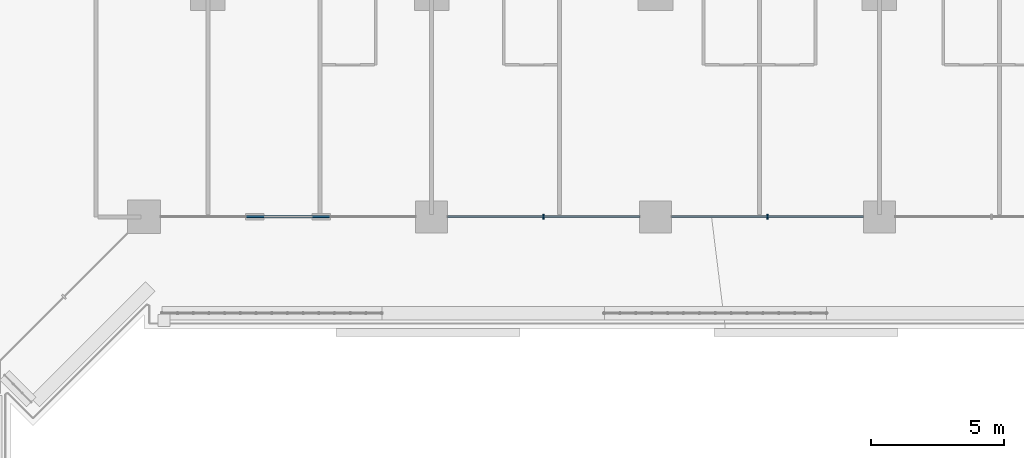
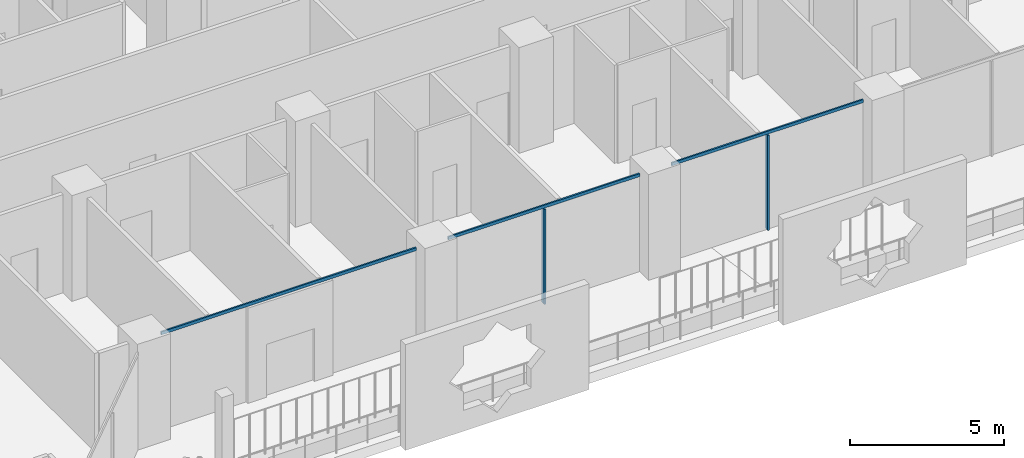
# One storey, part 6 of 28: 5 members, 1 element without a shape of its own.
"""IFC4 building model written with IfcOpenShell, lengths in metres."""

import ifcopenshell
import ifcopenshell.guid

model = None  # the IFC model being written
_history = None  # IfcOwnerHistory: only IFC2X3 demands one
_inside = {}  # id of a spatial element -> (the spatial element, [elements in it])
_under = {}  # id of a project, library or spatial element -> (it, [spatial elements below it])
_declared = {}  # id of a project -> (the project, [libraries it declares])
_typed = {}  # id of a type object -> (the type object, [elements of that type])
_made_of = {}  # id of a material, layer set ... -> (it, [elements and type objects made of it])


def new_model(schema):
    """Start an empty IFC model of exactly this schema.

    Asked for "IFC4X3", IfcOpenShell would pick the latest addendum, in which some entities
    have other attributes; the version numbers below select the first issue.
    IFC2X3 requires an IfcOwnerHistory on every rooted entity: one is made here for all.
    """
    global model, _history
    if schema == "IFC4X3":
        model = ifcopenshell.file(schema_version=(4, 3, 0, 0))
    else:
        model = ifcopenshell.file(schema=schema)
    _inside.clear()
    _under.clear()
    _declared.clear()
    _typed.clear()
    _made_of.clear()
    _history = None
    if model.schema == "IFC2X3":
        org = make("IfcOrganization", Name="unknown")
        user = make(
            "IfcPersonAndOrganization",
            ThePerson=make("IfcPerson", FamilyName="unknown"),
            TheOrganization=org,
        )
        app = make(
            "IfcApplication",
            ApplicationDeveloper=org,
            Version="unknown",
            ApplicationFullName="unknown",
            ApplicationIdentifier="unknown",
        )
        _history = make(
            "IfcOwnerHistory",
            OwningUser=user,
            OwningApplication=app,
            ChangeAction="ADDED",
            CreationDate=0,
        )
    return model


def make(cls, **values):
    """One entity of the class cls with the attributes given. An attribute that is None is left unset."""
    return model.create_entity(
        cls, **{name: value for name, value in values.items() if value is not None}
    )


def rooted(cls, **values):
    """An entity with a GlobalId (a new one), such as an element, a storey or a relation."""
    return make(cls, GlobalId=ifcopenshell.guid.new(), OwnerHistory=_history, **values)


def si_unit(unit_type, name, prefix=None):
    """IfcSIUnit, for example si_unit("LENGTHUNIT", "METRE", prefix="MILLI")."""
    return make("IfcSIUnit", UnitType=unit_type, Prefix=prefix, Name=name)


def assignment(units):
    """IfcUnitAssignment: the units of a project."""
    return None if units is None else make("IfcUnitAssignment", Units=units)


def point(xyz):
    """IfcCartesianPoint."""
    return None if xyz is None else make("IfcCartesianPoint", Coordinates=xyz)


def direction(xyz):
    """IfcDirection."""
    return None if xyz is None else make("IfcDirection", DirectionRatios=xyz)


def frame(location, z_axis=None, x_axis=None):
    """IfcAxis2Placement3D, a coordinate frame: its origin and axes. An axis left out is left unset."""
    return make(
        "IfcAxis2Placement3D",
        Location=point(location),
        Axis=direction(z_axis),
        RefDirection=direction(x_axis),
    )


def frame_2d(location, x_axis=None):
    """IfcAxis2Placement2D, a coordinate frame in the plane: its origin and x axis."""
    return make(
        "IfcAxis2Placement2D", Location=point(location), RefDirection=direction(x_axis)
    )


def origin():
    """The frame at (0, 0, 0) with its axes left unset."""
    return frame((0.0, 0.0, 0.0))


def origin_2d():
    """The frame at (0, 0) in the plane with its x axis left unset."""
    return frame_2d((0.0, 0.0))


def place(relative_to, where):
    """IfcLocalPlacement: puts the frame where relative to a parent placement (None: the world)."""
    return make(
        "IfcLocalPlacement", PlacementRelTo=relative_to, RelativePlacement=where
    )


def context(
    kind, dimensions, precision=None, world=None, true_north=None, identifier=None
):
    """IfcGeometricRepresentationContext, for example the 3D "Model" context."""
    return make(
        "IfcGeometricRepresentationContext",
        ContextIdentifier=identifier,
        ContextType=kind,
        CoordinateSpaceDimension=dimensions,
        Precision=precision,
        WorldCoordinateSystem=world,
        TrueNorth=true_north,
    )


def subcontext(parent, identifier, kind, view, scale=None):
    """IfcGeometricRepresentationSubContext, for example "Body" below "Model"."""
    return make(
        "IfcGeometricRepresentationSubContext",
        ContextIdentifier=identifier,
        ContextType=kind,
        ParentContext=parent,
        TargetScale=scale,
        TargetView=view,
    )


def project(units=None, contexts=None):
    """IfcProject with its units and contexts."""
    return rooted(
        "IfcProject",
        Name="project",
        RepresentationContexts=contexts,
        UnitsInContext=assignment(units),
    )


def spatial(cls, under=None, at=None, **own):
    """A site, building, storey or space (cls), placed at a placement, below another one or the project."""
    s = rooted(cls, ObjectPlacement=at, **own)
    if under is not None:
        _under.setdefault(under.id(), (under, []))[1].append(s)
    return s


def profile(cls, at=None, kind="AREA", **sizes):
    """A parametric profile (cls). Its sizes go by their IFC names, for example OverallWidth=200.0."""
    return make(cls, ProfileType=kind, Position=at, **sizes)


def rectangle(**sizes):
    """IfcRectangleProfileDef."""
    return profile("IfcRectangleProfileDef", **sizes)


def extrude(swept, where, along, depth):
    """IfcExtrudedAreaSolid: the profile swept, set in the frame where, extruded along a direction by depth."""
    return make(
        "IfcExtrudedAreaSolid",
        SweptArea=swept,
        Position=where,
        ExtrudedDirection=direction(along),
        Depth=depth,
    )


def shape(context_of_items, identifier, shape_type, items):
    """IfcShapeRepresentation: the items that make up one representation, for example the "Body"."""
    return make(
        "IfcShapeRepresentation",
        ContextOfItems=context_of_items,
        RepresentationIdentifier=identifier,
        RepresentationType=shape_type,
        Items=items,
    )


def material(Name=None, Category=None):
    """IfcMaterial."""
    return make("IfcMaterial", Name=Name, Category=Category)


def layer(
    of_material, thickness, ventilated=None, Name=None, Category=None, Priority=None
):
    """IfcMaterialLayer: one layer of a wall or slab, of a material (None: an air gap)."""
    return make(
        "IfcMaterialLayer",
        Material=of_material,
        LayerThickness=thickness,
        IsVentilated=ventilated,
        Name=Name,
        Category=Category,
        Priority=Priority,
    )


def layer_set(layers, Name=None):
    """IfcMaterialLayerSet."""
    return make("IfcMaterialLayerSet", MaterialLayers=layers, LayerSetName=Name)


def material_profile(
    of_material, cross_section, Name=None, Category=None, Priority=None
):
    """IfcMaterialProfile: a cross section and its material."""
    return make(
        "IfcMaterialProfile",
        Name=Name,
        Material=of_material,
        Profile=cross_section,
        Priority=Priority,
        Category=Category,
    )


def profile_set(profiles, Name=None, composite=None):
    """IfcMaterialProfileSet."""
    return make(
        "IfcMaterialProfileSet",
        Name=Name,
        MaterialProfiles=profiles,
        CompositeProfile=composite,
    )


def made_of(thing, what):
    """Note that an element or type object is made of a material, layer set ...; save() writes the relation."""
    if what is not None:
        _made_of.setdefault(what.id(), (what, []))[1].append(thing)
    return thing


def type_object(cls, material=None, **own):
    """A type object (cls), such as IfcWallType, which elements share."""
    return made_of(rooted(cls, **own), material)


def element(
    cls,
    number,
    at=None,
    inside=None,
    cuts=None,
    type_object=None,
    material=None,
    context=None,
    identifier="Body",
    shape_type=None,
    held_by="IfcProductDefinitionShape",
    body=None,
    shapes=None,
    **own,
):
    """One element of the class cls, such as IfcWall. Its Tag is "e" and its number.

    at: its placement. inside: the storey or other place that contains it. cuts: it is an
    opening in that element (IfcRelVoidsElement). A single representation is given by context,
    identifier, shape_type and body (its items); several are given by shapes. held_by: the class
    of the entity that holds the representations. save() writes the other relations.
    """
    e = rooted(cls, Tag="e%d" % number, ObjectPlacement=at, **own)
    if body is not None:
        shapes = [shape(context, identifier, shape_type, body)]
    if shapes is not None:
        e.Representation = make(held_by, Representations=shapes)
    if inside is not None:
        _inside.setdefault(inside.id(), (inside, []))[1].append(e)
    if cuts is not None:
        rooted(
            "IfcRelVoidsElement", RelatingBuildingElement=cuts, RelatedOpeningElement=e
        )
    if type_object is not None:
        _typed.setdefault(type_object.id(), (type_object, []))[1].append(e)
    return made_of(e, material)


def aggregate(whole, parts):
    """IfcRelAggregates: a whole, such as a stair, and the parts it consists of."""
    return rooted("IfcRelAggregates", RelatingObject=whole, RelatedObjects=parts)


def save(model, path):
    """Write the relations noted so far, then the file.

    IfcRelAggregates (storeys below a building ...), IfcRelContainedInSpatialStructure (elements
    in a storey), IfcRelDefinesByType, IfcRelAssociatesMaterial and IfcRelDeclares: one each for
    every whole, place, type object, material and project.
    """
    for whole, parts in _under.values():
        aggregate(whole, parts)
    for where, things in _inside.values():
        rooted(
            "IfcRelContainedInSpatialStructure",
            RelatedElements=things,
            RelatingStructure=where,
        )
    for kind, things in _typed.values():
        rooted("IfcRelDefinesByType", RelatedObjects=things, RelatingType=kind)
    for what, things in _made_of.values():
        rooted("IfcRelAssociatesMaterial", RelatedObjects=things, RelatingMaterial=what)
    for by, libraries in _declared.values():
        rooted("IfcRelDeclares", RelatingContext=by, RelatedDefinitions=libraries)
    model.write(path)


model = new_model("IFC4")

# Units and contexts
model_context = context("Model", 3, precision=1e-05, world=origin(), true_north=direction((0.0, 1.0)))
body_context = subcontext(model_context, "Body", "Model", "MODEL_VIEW")
ifc_project = project(units=[si_unit("LENGTHUNIT", "METRE"), si_unit("AREAUNIT", "SQUARE_METRE"), si_unit("VOLUMEUNIT", "CUBIC_METRE"), si_unit("PLANEANGLEUNIT", "RADIAN"), si_unit("MASSUNIT", "GRAM", prefix="KILO")], contexts=[model_context])

# Site, building, storey
site_placement = place(None, origin())
site = spatial("IfcSite", under=ifc_project, at=site_placement, CompositionType="ELEMENT")
building_placement = place(site_placement, origin())
building = spatial("IfcBuilding", under=site, at=building_placement, Name="Kawkab Arch Medical Tower", CompositionType="ELEMENT")
storey_placement = place(building_placement, frame((0.0, 0.0, 56.0)))
storey = spatial("IfcBuildingStorey", under=building, at=storey_placement, Name="L12", CompositionType="ELEMENT", Elevation=56.0)

# Curtain wall, members
ifc_material_1 = material(Name="Bronze anodised aluminium curtain wall frame", Category="aluminium")
ifc_layer = layer(ifc_material_1, 0.159912109375)
ifc_layer_set = layer_set([ifc_layer], Name="Bronze anodised aluminium curtain wall frame")
curtain_wall_type = type_object("IfcCurtainWallType", Name="CW1 ward curtain wall", PredefinedType="NOTDEFINED", material=ifc_layer_set)
curtain_wall_placement = place(storey_placement, origin())
curtain_wall = element("IfcCurtainWall", 1, at=curtain_wall_placement, inside=storey, type_object=curtain_wall_type, Name="CW1 Ward curtain wall R07", PredefinedType="NOTDEFINED")
ifc_material_2 = material(Name="Bronze anodised aluminium curtain wall frame", Category="aluminium")
ifc_material_profile_1 = material_profile(ifc_material_2, rectangle(XDim=0.179931640625, YDim=0.06005859375, at=origin_2d()), Name="AL 60x180")
ifc_profile_set_1 = profile_set([ifc_material_profile_1], Name="Bronze anodised aluminium curtain wall frame")
member_type_1 = type_object("IfcMemberType", Name="CW1 mullion 60 x 180", PredefinedType="MULLION", material=ifc_profile_set_1)
member_1_placement = place(storey_placement, frame((46.199951171875, -25.199951171875, 0.0), z_axis=(0.0, 0.0, 1.0), x_axis=(0.0, 1.0, 0.0)))
member_1 = element("IfcMember", 2, at=member_1_placement, type_object=member_type_1, Name="CW1 mullion 2.1", PredefinedType="MULLION", context=body_context, shape_type="SweptSolid", body=[
    extrude(rectangle(XDim=0.179931640625, YDim=0.06005859375, at=origin_2d()), origin(), (0.0, 0.0, 1.0), 3.780029296875),
])
member_2_placement = place(storey_placement, frame((54.60009765625, -25.199951171875, 0.0), z_axis=(0.0, 0.0, 1.0), x_axis=(0.0, 1.0, 0.0)))
member_2 = element("IfcMember", 3, at=member_2_placement, type_object=member_type_1, Name="CW1 mullion 3.1", PredefinedType="MULLION", context=body_context, shape_type="SweptSolid", body=[
    extrude(rectangle(XDim=0.179931640625, YDim=0.06005859375, at=origin_2d()), origin(), (0.0, 0.0, 1.0), 3.780029296875),
])
ifc_material_3 = material(Name="Bronze anodised aluminium curtain wall frame", Category="aluminium")
ifc_material_profile_2 = material_profile(ifc_material_3, rectangle(XDim=0.06005859375, YDim=0.1201171875, at=origin_2d()), Name="AL 60x120")
ifc_profile_set_2 = profile_set([ifc_material_profile_2], Name="Bronze anodised aluminium curtain wall frame")
member_type_2 = type_object("IfcMemberType", Name="CW1 transom 120 x 60", PredefinedType="USERDEFINED", material=ifc_profile_set_2)
member_3_placement = place(storey_placement, frame((31.824951171875, -25.199951171875, 3.840087890625), z_axis=(1.0, 0.0, 0.0), x_axis=(0.0, 1.0, 0.0)))
member_3 = element("IfcMember", 4, at=member_3_placement, type_object=member_type_2, Name="CW1 transom 1", ObjectType="TRANSOM", PredefinedType="USERDEFINED", context=body_context, shape_type="SweptSolid", body=[
    extrude(rectangle(XDim=0.06005859375, YDim=0.1201171875, at=origin_2d()), origin(), (0.0, 0.0, 1.0), 9.574951171875),
])
member_4_placement = place(storey_placement, frame((42.60009765625, -25.199951171875, 3.840087890625), z_axis=(1.0, 0.0, 0.0), x_axis=(0.0, 1.0, 0.0)))
member_4 = element("IfcMember", 5, at=member_4_placement, type_object=member_type_2, Name="CW1 transom 2", ObjectType="TRANSOM", PredefinedType="USERDEFINED", context=body_context, shape_type="SweptSolid", body=[
    extrude(rectangle(XDim=0.06005859375, YDim=0.1201171875, at=origin_2d()), origin(), (0.0, 0.0, 1.0), 7.199951171875),
])
member_5_placement = place(storey_placement, frame((51.0, -25.199951171875, 3.840087890625), z_axis=(1.0, 0.0, 0.0), x_axis=(0.0, 1.0, 0.0)))
member_5 = element("IfcMember", 6, at=member_5_placement, type_object=member_type_2, Name="CW1 transom 3", ObjectType="TRANSOM", PredefinedType="USERDEFINED", context=body_context, shape_type="SweptSolid", body=[
    extrude(rectangle(XDim=0.06005859375, YDim=0.1201171875, at=origin_2d()), origin(), (0.0, 0.0, 1.0), 7.199951171875),
])
aggregate(curtain_wall, [member_3, member_4, member_1, member_5, member_2])

save(model, "model.ifc")
